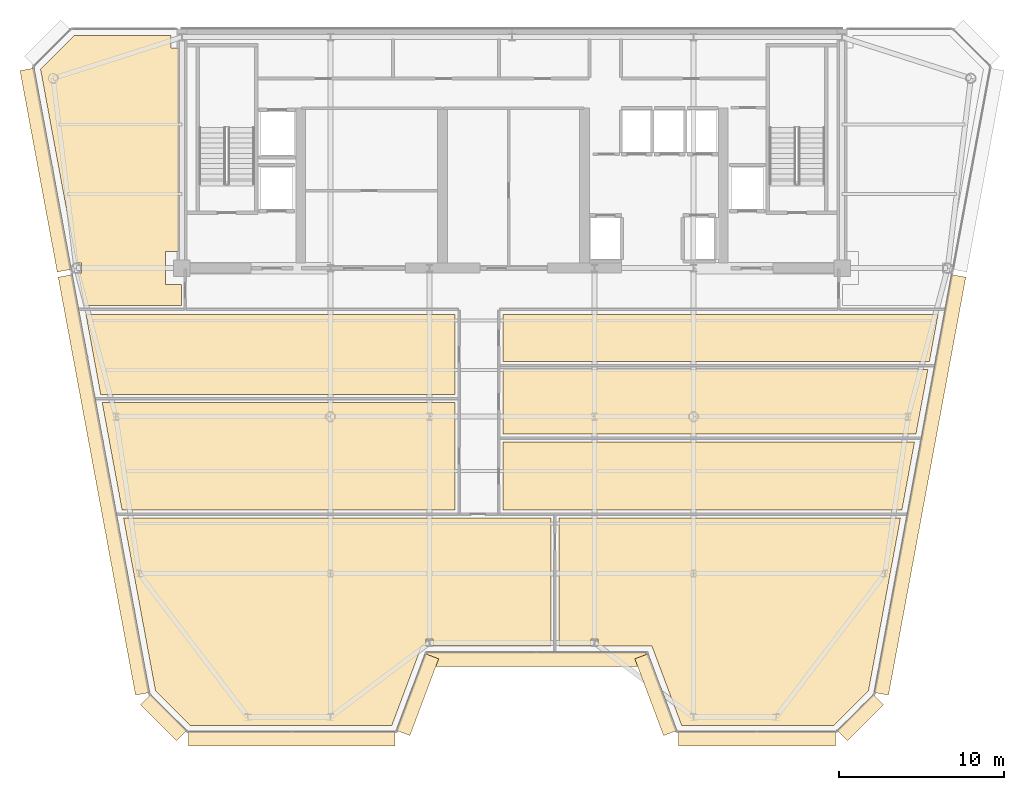
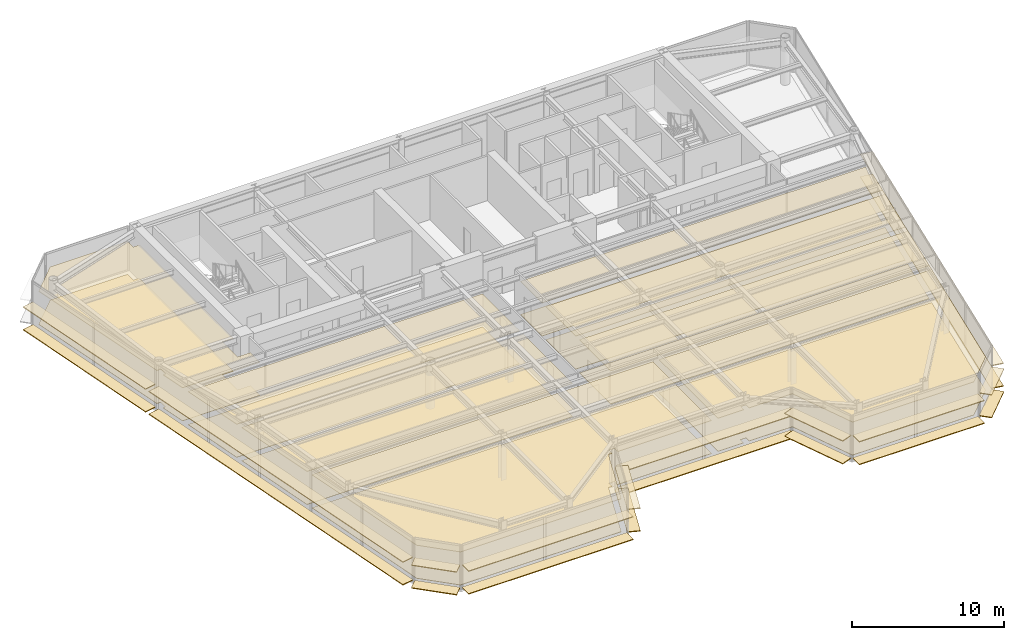
# One storey, part 13 of 16: 36 coverings.
"""IFC4 building model written with IfcOpenShell, lengths in metres."""

import ifcopenshell
import ifcopenshell.guid

model = None  # the IFC model being written
_history = None  # IfcOwnerHistory: only IFC2X3 demands one
_inside = {}  # id of a spatial element -> (the spatial element, [elements in it])
_under = {}  # id of a project, library or spatial element -> (it, [spatial elements below it])
_declared = {}  # id of a project -> (the project, [libraries it declares])
_typed = {}  # id of a type object -> (the type object, [elements of that type])
_made_of = {}  # id of a material, layer set ... -> (it, [elements and type objects made of it])


def new_model(schema):
    """Start an empty IFC model of exactly this schema.

    Asked for "IFC4X3", IfcOpenShell would pick the latest addendum, in which some entities
    have other attributes; the version numbers below select the first issue.
    IFC2X3 requires an IfcOwnerHistory on every rooted entity: one is made here for all.
    """
    global model, _history
    if schema == "IFC4X3":
        model = ifcopenshell.file(schema_version=(4, 3, 0, 0))
    else:
        model = ifcopenshell.file(schema=schema)
    _inside.clear()
    _under.clear()
    _declared.clear()
    _typed.clear()
    _made_of.clear()
    _history = None
    if model.schema == "IFC2X3":
        org = make("IfcOrganization", Name="unknown")
        user = make(
            "IfcPersonAndOrganization",
            ThePerson=make("IfcPerson", FamilyName="unknown"),
            TheOrganization=org,
        )
        app = make(
            "IfcApplication",
            ApplicationDeveloper=org,
            Version="unknown",
            ApplicationFullName="unknown",
            ApplicationIdentifier="unknown",
        )
        _history = make(
            "IfcOwnerHistory",
            OwningUser=user,
            OwningApplication=app,
            ChangeAction="ADDED",
            CreationDate=0,
        )
    return model


def make(cls, **values):
    """One entity of the class cls with the attributes given. An attribute that is None is left unset."""
    return model.create_entity(
        cls, **{name: value for name, value in values.items() if value is not None}
    )


def rooted(cls, **values):
    """An entity with a GlobalId (a new one), such as an element, a storey or a relation."""
    return make(cls, GlobalId=ifcopenshell.guid.new(), OwnerHistory=_history, **values)


def si_unit(unit_type, name, prefix=None):
    """IfcSIUnit, for example si_unit("LENGTHUNIT", "METRE", prefix="MILLI")."""
    return make("IfcSIUnit", UnitType=unit_type, Prefix=prefix, Name=name)


def assignment(units):
    """IfcUnitAssignment: the units of a project."""
    return None if units is None else make("IfcUnitAssignment", Units=units)


def point(xyz):
    """IfcCartesianPoint."""
    return None if xyz is None else make("IfcCartesianPoint", Coordinates=xyz)


def direction(xyz):
    """IfcDirection."""
    return None if xyz is None else make("IfcDirection", DirectionRatios=xyz)


def frame(location, z_axis=None, x_axis=None):
    """IfcAxis2Placement3D, a coordinate frame: its origin and axes. An axis left out is left unset."""
    return make(
        "IfcAxis2Placement3D",
        Location=point(location),
        Axis=direction(z_axis),
        RefDirection=direction(x_axis),
    )


def frame_2d(location, x_axis=None):
    """IfcAxis2Placement2D, a coordinate frame in the plane: its origin and x axis."""
    return make(
        "IfcAxis2Placement2D", Location=point(location), RefDirection=direction(x_axis)
    )


def origin():
    """The frame at (0, 0, 0) with its axes left unset."""
    return frame((0.0, 0.0, 0.0))


def origin_2d():
    """The frame at (0, 0) in the plane with its x axis left unset."""
    return frame_2d((0.0, 0.0))


def place(relative_to, where):
    """IfcLocalPlacement: puts the frame where relative to a parent placement (None: the world)."""
    return make(
        "IfcLocalPlacement", PlacementRelTo=relative_to, RelativePlacement=where
    )


def context(
    kind, dimensions, precision=None, world=None, true_north=None, identifier=None
):
    """IfcGeometricRepresentationContext, for example the 3D "Model" context."""
    return make(
        "IfcGeometricRepresentationContext",
        ContextIdentifier=identifier,
        ContextType=kind,
        CoordinateSpaceDimension=dimensions,
        Precision=precision,
        WorldCoordinateSystem=world,
        TrueNorth=true_north,
    )


def subcontext(parent, identifier, kind, view, scale=None):
    """IfcGeometricRepresentationSubContext, for example "Body" below "Model"."""
    return make(
        "IfcGeometricRepresentationSubContext",
        ContextIdentifier=identifier,
        ContextType=kind,
        ParentContext=parent,
        TargetScale=scale,
        TargetView=view,
    )


def project(units=None, contexts=None):
    """IfcProject with its units and contexts."""
    return rooted(
        "IfcProject",
        Name="project",
        RepresentationContexts=contexts,
        UnitsInContext=assignment(units),
    )


def spatial(cls, under=None, at=None, **own):
    """A site, building, storey or space (cls), placed at a placement, below another one or the project."""
    s = rooted(cls, ObjectPlacement=at, **own)
    if under is not None:
        _under.setdefault(under.id(), (under, []))[1].append(s)
    return s


def polyline(points):
    """IfcPolyline through the points."""
    return make("IfcPolyline", Points=[point(p) for p in points])


def profile(cls, at=None, kind="AREA", **sizes):
    """A parametric profile (cls). Its sizes go by their IFC names, for example OverallWidth=200.0."""
    return make(cls, ProfileType=kind, Position=at, **sizes)


def rectangle(**sizes):
    """IfcRectangleProfileDef."""
    return profile("IfcRectangleProfileDef", **sizes)


def outline(outer, holes=None, kind="AREA"):
    """IfcArbitraryClosedProfileDef: a profile drawn as a closed curve; with holes, ...WithVoids."""
    if holes is None:
        return make("IfcArbitraryClosedProfileDef", ProfileType=kind, OuterCurve=outer)
    return make(
        "IfcArbitraryProfileDefWithVoids",
        ProfileType=kind,
        OuterCurve=outer,
        InnerCurves=holes,
    )


def extrude(swept, where, along, depth):
    """IfcExtrudedAreaSolid: the profile swept, set in the frame where, extruded along a direction by depth."""
    return make(
        "IfcExtrudedAreaSolid",
        SweptArea=swept,
        Position=where,
        ExtrudedDirection=direction(along),
        Depth=depth,
    )


def shape(context_of_items, identifier, shape_type, items):
    """IfcShapeRepresentation: the items that make up one representation, for example the "Body"."""
    return make(
        "IfcShapeRepresentation",
        ContextOfItems=context_of_items,
        RepresentationIdentifier=identifier,
        RepresentationType=shape_type,
        Items=items,
    )


def source(mapping_origin, context_of_items, identifier, shape_type, items):
    """IfcRepresentationMap: a shape defined once, which mapped items show again and again."""
    return make(
        "IfcRepresentationMap",
        MappingOrigin=mapping_origin,
        MappedRepresentation=shape(context_of_items, identifier, shape_type, items),
    )


def transform(
    local_origin,
    x_axis=None,
    y_axis=None,
    z_axis=None,
    scale=None,
    scale2=None,
    scale3=None,
    uniform=True,
):
    """IfcCartesianTransformationOperator3D, or its non-uniform kind. x_axis, y_axis, z_axis: its Axis1, 2, 3."""
    if uniform:
        return make(
            "IfcCartesianTransformationOperator3D",
            Axis1=direction(x_axis),
            Axis2=direction(y_axis),
            LocalOrigin=point(local_origin),
            Scale=scale,
            Axis3=direction(z_axis),
        )
    return make(
        "IfcCartesianTransformationOperator3DnonUniform",
        Axis1=direction(x_axis),
        Axis2=direction(y_axis),
        LocalOrigin=point(local_origin),
        Scale=scale,
        Axis3=direction(z_axis),
        Scale2=scale2,
        Scale3=scale3,
    )


def mapped(mapping_source, mapping_target):
    """IfcMappedItem: shows the shape of a source again, moved by a transform."""
    return make(
        "IfcMappedItem", MappingSource=mapping_source, MappingTarget=mapping_target
    )


def material(Name=None, Category=None):
    """IfcMaterial."""
    return make("IfcMaterial", Name=Name, Category=Category)


def layer(
    of_material, thickness, ventilated=None, Name=None, Category=None, Priority=None
):
    """IfcMaterialLayer: one layer of a wall or slab, of a material (None: an air gap)."""
    return make(
        "IfcMaterialLayer",
        Material=of_material,
        LayerThickness=thickness,
        IsVentilated=ventilated,
        Name=Name,
        Category=Category,
        Priority=Priority,
    )


def layer_set(layers, Name=None):
    """IfcMaterialLayerSet."""
    return make("IfcMaterialLayerSet", MaterialLayers=layers, LayerSetName=Name)


def made_of(thing, what):
    """Note that an element or type object is made of a material, layer set ...; save() writes the relation."""
    if what is not None:
        _made_of.setdefault(what.id(), (what, []))[1].append(thing)
    return thing


def type_object(cls, material=None, **own):
    """A type object (cls), such as IfcWallType, which elements share."""
    return made_of(rooted(cls, **own), material)


def element(
    cls,
    number,
    at=None,
    inside=None,
    cuts=None,
    type_object=None,
    material=None,
    context=None,
    identifier="Body",
    shape_type=None,
    held_by="IfcProductDefinitionShape",
    body=None,
    shapes=None,
    **own,
):
    """One element of the class cls, such as IfcWall. Its Tag is "e" and its number.

    at: its placement. inside: the storey or other place that contains it. cuts: it is an
    opening in that element (IfcRelVoidsElement). A single representation is given by context,
    identifier, shape_type and body (its items); several are given by shapes. held_by: the class
    of the entity that holds the representations. save() writes the other relations.
    """
    e = rooted(cls, Tag="e%d" % number, ObjectPlacement=at, **own)
    if body is not None:
        shapes = [shape(context, identifier, shape_type, body)]
    if shapes is not None:
        e.Representation = make(held_by, Representations=shapes)
    if inside is not None:
        _inside.setdefault(inside.id(), (inside, []))[1].append(e)
    if cuts is not None:
        rooted(
            "IfcRelVoidsElement", RelatingBuildingElement=cuts, RelatedOpeningElement=e
        )
    if type_object is not None:
        _typed.setdefault(type_object.id(), (type_object, []))[1].append(e)
    return made_of(e, material)


def aggregate(whole, parts):
    """IfcRelAggregates: a whole, such as a stair, and the parts it consists of."""
    return rooted("IfcRelAggregates", RelatingObject=whole, RelatedObjects=parts)


def save(model, path):
    """Write the relations noted so far, then the file.

    IfcRelAggregates (storeys below a building ...), IfcRelContainedInSpatialStructure (elements
    in a storey), IfcRelDefinesByType, IfcRelAssociatesMaterial and IfcRelDeclares: one each for
    every whole, place, type object, material and project.
    """
    for whole, parts in _under.values():
        aggregate(whole, parts)
    for where, things in _inside.values():
        rooted(
            "IfcRelContainedInSpatialStructure",
            RelatedElements=things,
            RelatingStructure=where,
        )
    for kind, things in _typed.values():
        rooted("IfcRelDefinesByType", RelatedObjects=things, RelatingType=kind)
    for what, things in _made_of.values():
        rooted("IfcRelAssociatesMaterial", RelatedObjects=things, RelatingMaterial=what)
    for by, libraries in _declared.values():
        rooted("IfcRelDeclares", RelatingContext=by, RelatedDefinitions=libraries)
    model.write(path)


model = new_model("IFC4")

# Units and contexts
model_context = context("Model", 3, precision=1e-05, world=origin(), true_north=direction((0.0, 1.0)))
body_context = subcontext(model_context, "Body", "Model", "MODEL_VIEW")
ifc_project = project(units=[si_unit("LENGTHUNIT", "METRE"), si_unit("AREAUNIT", "SQUARE_METRE"), si_unit("VOLUMEUNIT", "CUBIC_METRE"), si_unit("PLANEANGLEUNIT", "RADIAN"), si_unit("MASSUNIT", "GRAM", prefix="KILO")], contexts=[model_context])

# Site, building, storey
site_placement = place(None, origin())
site = spatial("IfcSite", under=ifc_project, at=site_placement, CompositionType="ELEMENT")
building_placement = place(site_placement, origin())
building = spatial("IfcBuilding", under=site, at=building_placement, Name="Vaeldorn Concourse Tower", CompositionType="ELEMENT")
storey_placement = place(building_placement, frame((0.0, 0.0, 227.0)))
storey = spatial("IfcBuildingStorey", under=building, at=storey_placement, Name="L58", CompositionType="ELEMENT", Elevation=227.0)

# Coverings
ifc_material_1 = material(Name="Acoustic Mineral Fibre Board", Category="gypsum")
ifc_layer_1 = layer(ifc_material_1, 0.0400390625)
ifc_layer_set_1 = layer_set([ifc_layer_1], Name="Acoustic Mineral Fibre Board")
covering_type_1 = type_object("IfcCoveringType", Name="COV-CEIL-ACOUSTIC", PredefinedType="CEILING", material=ifc_layer_set_1)
covering_1_placement = place(storey_placement, frame((0.0, 0.0, 2.64990234375)))
element("IfcCovering", 1, at=covering_1_placement, inside=storey, type_object=covering_type_1, Name="Suspended Acoustic Ceiling L58-3", PredefinedType="CEILING", context=body_context, shape_type="SweptSolid", body=[
    extrude(outline(polyline([(7.4658203125, 50.60009765625), (13.340087890625, 50.60009765625), (13.340087890625, 49.840087890625), (13.820068359375, 49.840087890625), (13.820068359375, 37.5), (13.0, 37.5), (13.0, 35.5), (13.9599609375, 35.5), (13.9599609375, 34.239990234375), (8.08154296875, 34.239990234375), (7.719970703125, 36.195068359375), (7.905029296875, 36.195068359375), (7.905029296875, 36.804931640625), (7.607177734375, 36.804931640625), (5.431640625, 48.56591796875), (7.4658203125, 50.60009765625)])), origin(), (0.0, 0.0, 1.0), 0.0400390625),
])
covering_2_placement = place(storey_placement, frame((0.0, 0.0, 2.64990234375)))
element("IfcCovering", 2, at=covering_2_placement, inside=storey, type_object=covering_type_1, Name="Suspended Acoustic Ceiling L58-5", PredefinedType="CEILING", context=body_context, shape_type="SweptSolid", body=[
    extrude(outline(polyline([(30.56005859375, 28.360107421875), (30.56005859375, 21.840087890625), (10.375244140625, 21.840087890625), (9.169189453125, 28.360107421875), (30.56005859375, 28.360107421875)])), origin(), (0.0, 0.0, 1.0), 0.0400390625),
])
covering_3_placement = place(storey_placement, frame((0.0, 0.0, 2.64990234375)))
element("IfcCovering", 3, at=covering_3_placement, inside=storey, type_object=covering_type_1, Name="Suspended Acoustic Ceiling L58-6", PredefinedType="CEILING", context=body_context, shape_type="SweptSolid", body=[
    extrude(outline(polyline([(30.56005859375, 33.699951171875), (30.56005859375, 28.840087890625), (9.080322265625, 28.840087890625), (8.181396484375, 33.699951171875), (30.56005859375, 33.699951171875)])), origin(), (0.0, 0.0, 1.0), 0.0400390625),
])
covering_4_placement = place(storey_placement, frame((0.0, 0.0, 2.64990234375)))
element("IfcCovering", 4, at=covering_4_placement, inside=storey, type_object=covering_type_1, Name="Suspended Acoustic Ceiling L58-7", PredefinedType="CEILING", context=body_context, shape_type="SweptSolid", body=[
    extrude(outline(polyline([(33.43994140625, 21.840087890625), (33.43994140625, 25.9599609375), (58.386962890625, 25.9599609375), (57.624755859375, 21.840087890625), (33.43994140625, 21.840087890625)])), origin(), (0.0, 0.0, 1.0), 0.0400390625),
])
covering_5_placement = place(storey_placement, frame((0.0, 0.0, 2.64990234375)))
element("IfcCovering", 5, at=covering_5_placement, inside=storey, type_object=covering_type_1, Name="Suspended Acoustic Ceiling L58-8", PredefinedType="CEILING", context=body_context, shape_type="SweptSolid", body=[
    extrude(outline(polyline([(33.43994140625, 26.43994140625), (33.43994140625, 30.360107421875), (59.20068359375, 30.360107421875), (58.4755859375, 26.43994140625), (33.43994140625, 26.43994140625)])), origin(), (0.0, 0.0, 1.0), 0.0400390625),
])
covering_6_placement = place(storey_placement, frame((0.0, 0.0, 2.64990234375)))
element("IfcCovering", 6, at=covering_6_placement, inside=storey, type_object=covering_type_1, Name="Suspended Acoustic Ceiling L58-9", PredefinedType="CEILING", context=body_context, shape_type="SweptSolid", body=[
    extrude(outline(polyline([(33.43994140625, 30.840087890625), (33.43994140625, 33.699951171875), (59.818603515625, 33.699951171875), (59.28955078125, 30.840087890625), (33.43994140625, 30.840087890625)])), origin(), (0.0, 0.0, 1.0), 0.0400390625),
])
covering_7_placement = place(storey_placement, frame((0.0, 0.0, 2.64990234375)))
element("IfcCovering", 7, at=covering_7_placement, inside=storey, type_object=covering_type_1, Name="Suspended Acoustic Ceiling L58-10", PredefinedType="CEILING", context=body_context, shape_type="SweptSolid", body=[
    extrude(outline(polyline([(36.360107421875, 21.360107421875), (36.360107421875, 13.60009765625), (29.2060546875, 13.60009765625), (29.2060546875, 14.017578125), (28.7939453125, 14.017578125), (28.7939453125, 13.60009765625), (28.522705078125, 13.60009765625), (26.722900390625, 8.800048828125), (14.49462890625, 8.800048828125), (12.399658203125, 10.89501953125), (11.20751953125, 17.340087890625), (11.20751953125, 17.340087890625), (10.4638671875, 21.360107421875), (36.360107421875, 21.360107421875)])), origin(), (0.0, 0.0, 1.0), 0.0400390625),
])
covering_8_placement = place(storey_placement, frame((0.0, 0.0, 2.64990234375)))
element("IfcCovering", 8, at=covering_8_placement, inside=storey, type_object=covering_type_1, Name="Suspended Acoustic Ceiling L58-11", PredefinedType="CEILING", context=body_context, shape_type="SweptSolid", body=[
    extrude(outline(polyline([(36.840087890625, 21.360107421875), (57.5361328125, 21.360107421875), (56.973876953125, 18.321044921875), (55.600341796875, 10.89501953125), (53.50537109375, 8.800048828125), (44.277099609375, 8.800048828125), (42.477294921875, 13.60009765625), (39.2060546875, 13.60009765625), (39.2060546875, 14.017578125), (38.7939453125, 14.017578125), (38.7939453125, 13.60009765625), (36.840087890625, 13.60009765625), (36.840087890625, 21.360107421875)])), origin(), (0.0, 0.0, 1.0), 0.0400390625),
])
ifc_material_2 = material(Name="Honed Limestone Terrazzo Flooring", Category="masonry")
ifc_layer_2 = layer(ifc_material_2, 0.0400390625)
ifc_layer_set_2 = layer_set([ifc_layer_2], Name="Honed Limestone Terrazzo Flooring")
covering_type_2 = type_object("IfcCoveringType", Name="COV-FLOOR-STONE", PredefinedType="FLOORING", material=ifc_layer_set_2)
covering_9_placement = place(storey_placement, origin())
element("IfcCovering", 9, at=covering_9_placement, inside=storey, type_object=covering_type_2, Name="Floor Finish Covering L58-3", PredefinedType="FLOORING", context=body_context, shape_type="SweptSolid", body=[
    extrude(outline(polyline([(7.4658203125, 50.60009765625), (13.340087890625, 50.60009765625), (13.340087890625, 49.840087890625), (13.820068359375, 49.840087890625), (13.820068359375, 37.5), (13.0, 37.5), (13.0, 35.5), (13.9599609375, 35.5), (13.9599609375, 34.239990234375), (8.08154296875, 34.239990234375), (7.719970703125, 36.195068359375), (7.905029296875, 36.195068359375), (7.905029296875, 36.804931640625), (7.607177734375, 36.804931640625), (5.431640625, 48.56591796875), (7.4658203125, 50.60009765625)])), origin(), (0.0, 0.0, 1.0), 0.030029296875),
])
covering_10_placement = place(storey_placement, origin())
element("IfcCovering", 10, at=covering_10_placement, inside=storey, type_object=covering_type_2, Name="Floor Finish Covering L58-5", PredefinedType="FLOORING", context=body_context, shape_type="SweptSolid", body=[
    extrude(outline(polyline([(30.56005859375, 28.360107421875), (30.56005859375, 21.840087890625), (10.375244140625, 21.840087890625), (9.169189453125, 28.360107421875), (30.56005859375, 28.360107421875)])), origin(), (0.0, 0.0, 1.0), 0.030029296875),
])
covering_11_placement = place(storey_placement, origin())
element("IfcCovering", 11, at=covering_11_placement, inside=storey, type_object=covering_type_2, Name="Floor Finish Covering L58-6", PredefinedType="FLOORING", context=body_context, shape_type="SweptSolid", body=[
    extrude(outline(polyline([(30.56005859375, 33.699951171875), (30.56005859375, 28.840087890625), (9.080322265625, 28.840087890625), (8.181396484375, 33.699951171875), (30.56005859375, 33.699951171875)])), origin(), (0.0, 0.0, 1.0), 0.030029296875),
])
covering_12_placement = place(storey_placement, origin())
element("IfcCovering", 12, at=covering_12_placement, inside=storey, type_object=covering_type_2, Name="Floor Finish Covering L58-7", PredefinedType="FLOORING", context=body_context, shape_type="SweptSolid", body=[
    extrude(outline(polyline([(33.43994140625, 21.840087890625), (33.43994140625, 25.9599609375), (58.386962890625, 25.9599609375), (57.624755859375, 21.840087890625), (33.43994140625, 21.840087890625)])), origin(), (0.0, 0.0, 1.0), 0.030029296875),
])
covering_13_placement = place(storey_placement, origin())
element("IfcCovering", 13, at=covering_13_placement, inside=storey, type_object=covering_type_2, Name="Floor Finish Covering L58-8", PredefinedType="FLOORING", context=body_context, shape_type="SweptSolid", body=[
    extrude(outline(polyline([(33.43994140625, 26.43994140625), (33.43994140625, 30.360107421875), (59.20068359375, 30.360107421875), (58.4755859375, 26.43994140625), (33.43994140625, 26.43994140625)])), origin(), (0.0, 0.0, 1.0), 0.030029296875),
])
covering_14_placement = place(storey_placement, origin())
element("IfcCovering", 14, at=covering_14_placement, inside=storey, type_object=covering_type_2, Name="Floor Finish Covering L58-9", PredefinedType="FLOORING", context=body_context, shape_type="SweptSolid", body=[
    extrude(outline(polyline([(33.43994140625, 30.840087890625), (33.43994140625, 33.699951171875), (59.818603515625, 33.699951171875), (59.28955078125, 30.840087890625), (33.43994140625, 30.840087890625)])), origin(), (0.0, 0.0, 1.0), 0.030029296875),
])
covering_15_placement = place(storey_placement, origin())
element("IfcCovering", 15, at=covering_15_placement, inside=storey, type_object=covering_type_2, Name="Floor Finish Covering L58-10", PredefinedType="FLOORING", context=body_context, shape_type="SweptSolid", body=[
    extrude(outline(polyline([(36.360107421875, 21.360107421875), (36.360107421875, 13.60009765625), (29.2060546875, 13.60009765625), (29.2060546875, 14.017578125), (28.7939453125, 14.017578125), (28.7939453125, 13.60009765625), (28.522705078125, 13.60009765625), (26.722900390625, 8.800048828125), (14.49462890625, 8.800048828125), (12.399658203125, 10.89501953125), (11.20751953125, 17.340087890625), (11.20751953125, 17.340087890625), (10.4638671875, 21.360107421875), (36.360107421875, 21.360107421875)])), origin(), (0.0, 0.0, 1.0), 0.030029296875),
])
covering_16_placement = place(storey_placement, origin())
element("IfcCovering", 16, at=covering_16_placement, inside=storey, type_object=covering_type_2, Name="Floor Finish Covering L58-11", PredefinedType="FLOORING", context=body_context, shape_type="SweptSolid", body=[
    extrude(outline(polyline([(36.840087890625, 21.360107421875), (57.5361328125, 21.360107421875), (56.973876953125, 18.321044921875), (55.600341796875, 10.89501953125), (53.50537109375, 8.800048828125), (44.277099609375, 8.800048828125), (42.477294921875, 13.60009765625), (39.2060546875, 13.60009765625), (39.2060546875, 14.017578125), (38.7939453125, 14.017578125), (38.7939453125, 13.60009765625), (36.840087890625, 13.60009765625), (36.840087890625, 21.360107421875)])), origin(), (0.0, 0.0, 1.0), 0.030029296875),
])
ifc_material_3 = material(Name="Anodised Bronze Aluminium", Category="aluminium")
ifc_layer_3 = layer(ifc_material_3, 0.06494140625)
ifc_layer_set_3 = layer_set([ifc_layer_3], Name="Anodised Bronze Aluminium")
covering_type_3 = type_object("IfcCoveringType", Name="SD-BRONZE-SUNSHADE", PredefinedType="USERDEFINED", material=ifc_layer_set_3)
shared_shape_1 = source(origin(), body_context, "Body", "SweptSolid", [
    extrude(rectangle(XDim=4.96630859375, YDim=0.8798828125, at=origin_2d()), origin(), (0.0, 0.0, 1.0), 0.06494140625),
])
for number, where, z_axis, x_axis, name in (
    (17, (28.2744140625, 10.65966796875, 0.047607421875), (0.0, 0.0, 1.0), (0.351122702609, 0.936329454686, 0.0), "Horizontal Bronze Sunshade L58-E02.1.1"),
    (18, (28.2744140625, 10.65966796875, 1.867431640625), (0.0, 0.0, 1.0), (0.351122702609, 0.936329454686, 0.0), "Horizontal Bronze Sunshade L58-E02.1.2"),
    (19, (42.7255859375, 10.65966796875, 0.047607421875), (0.0, 0.0, 1.0), (0.351122702609, -0.936329454686, 0.0), "Horizontal Bronze Sunshade L58-E04.1.1"),
    (20, (42.7255859375, 10.65966796875, 1.867431640625), (0.0, 0.0, 1.0), (0.351122702609, -0.936329454686, 0.0), "Horizontal Bronze Sunshade L58-E04.1.2"),
):
    element("IfcCovering", number, at=place(storey_placement, frame(where, z_axis=z_axis, x_axis=x_axis)), inside=storey, type_object=covering_type_3, Name=name, ObjectType="SUNSHADE", PredefinedType="USERDEFINED", context=body_context, shape_type="MappedRepresentation", body=[
        mapped(shared_shape_1, transform((0.0, 0.0, 0.0), scale=1.0)),
    ])
shared_shape_2 = source(origin(), body_context, "Body", "SweptSolid", [
    extrude(rectangle(XDim=13.239990234375, YDim=0.8798828125, at=origin_2d()), origin(), (0.0, 0.0, 1.0), 0.06494140625),
])
for number, where, z_axis, x_axis, name in (
    (21, (35.5, 12.800048828125, 0.047607421875), (0.0, 0.0, 1.0), (1.0, 0.0, 0.0), "Horizontal Bronze Sunshade L58-E03.1.1"),
    (22, (35.5, 12.800048828125, 1.867431640625), (0.0, 0.0, 1.0), (1.0, 0.0, 0.0), "Horizontal Bronze Sunshade L58-E03.1.2"),
):
    element("IfcCovering", number, at=place(storey_placement, frame(where, z_axis=z_axis, x_axis=x_axis)), inside=storey, type_object=covering_type_3, Name=name, ObjectType="SUNSHADE", PredefinedType="USERDEFINED", context=body_context, shape_type="MappedRepresentation", body=[
        mapped(shared_shape_2, transform((0.0, 0.0, 0.0), scale=1.0)),
    ])
shared_shape_3 = source(origin(), body_context, "Body", "SweptSolid", [
    extrude(rectangle(XDim=3.0927734375, YDim=0.8798828125, at=origin_2d()), origin(), (0.0, 0.0, 1.0), 0.06494140625),
])
for number, where, z_axis, x_axis, name in (
    (23, (55.103759765625, 9.26708984375, 0.047607421875), (0.0, 0.0, 1.0), (0.707106781187, 0.707106781187, 0.0), "Horizontal Bronze Sunshade L58-E06.1.1"),
    (24, (55.103759765625, 9.26708984375, 1.867431640625), (0.0, 0.0, 1.0), (0.707106781187, 0.707106781187, 0.0), "Horizontal Bronze Sunshade L58-E06.1.2"),
    (25, (12.896240234375, 9.26708984375, 0.047607421875), (0.0, 0.0, 1.0), (0.707106781187, -0.707106781187, 0.0), "Horizontal Bronze Sunshade L58-E12.1.1"),
    (26, (12.896240234375, 9.26708984375, 1.867431640625), (0.0, 0.0, 1.0), (0.707106781187, -0.707106781187, 0.0), "Horizontal Bronze Sunshade L58-E12.1.2"),
):
    element("IfcCovering", number, at=place(storey_placement, frame(where, z_axis=z_axis, x_axis=x_axis)), inside=storey, type_object=covering_type_3, Name=name, ObjectType="SUNSHADE", PredefinedType="USERDEFINED", context=body_context, shape_type="MappedRepresentation", body=[
        mapped(shared_shape_3, transform((0.0, 0.0, 0.0), scale=1.0)),
    ])
shared_shape_4 = source(origin(), body_context, "Body", "SweptSolid", [
    extrude(rectangle(XDim=12.510986328125, YDim=0.8798828125, at=origin_2d()), origin(), (0.0, 0.0, 1.0), 0.06494140625),
])
for number, where, z_axis, x_axis, name in (
    (27, (20.66455078125, 8.0, 0.047607421875), (0.0, 0.0, 1.0), (1.0, 0.0, 0.0), "Horizontal Bronze Sunshade L58-E01.1.1"),
    (28, (20.66455078125, 8.0, 1.867431640625), (0.0, 0.0, 1.0), (1.0, 0.0, 0.0), "Horizontal Bronze Sunshade L58-E01.1.2"),
):
    element("IfcCovering", number, at=place(storey_placement, frame(where, z_axis=z_axis, x_axis=x_axis)), inside=storey, type_object=covering_type_3, Name=name, ObjectType="SUNSHADE", PredefinedType="USERDEFINED", context=body_context, shape_type="MappedRepresentation", body=[
        mapped(shared_shape_4, transform((0.0, 0.0, 0.0), scale=1.0)),
    ])
shared_shape_5 = source(origin(), body_context, "Body", "SweptSolid", [
    extrude(rectangle(XDim=9.510986328125, YDim=0.8798828125, at=origin_2d()), origin(), (0.0, 0.0, 1.0), 0.06494140625),
])
for number, where, z_axis, x_axis, name in (
    (29, (48.83544921875, 8.0, 0.047607421875), (0.0, 0.0, 1.0), (1.0, 0.0, 0.0), "Horizontal Bronze Sunshade L58-E05.1.1"),
    (30, (48.83544921875, 8.0, 1.867431640625), (0.0, 0.0, 1.0), (1.0, 0.0, 0.0), "Horizontal Bronze Sunshade L58-E05.1.2"),
):
    element("IfcCovering", number, at=place(storey_placement, frame(where, z_axis=z_axis, x_axis=x_axis)), inside=storey, type_object=covering_type_3, Name=name, ObjectType="SUNSHADE", PredefinedType="USERDEFINED", context=body_context, shape_type="MappedRepresentation", body=[
        mapped(shared_shape_5, transform((0.0, 0.0, 0.0), scale=1.0)),
    ])
shared_shape_6 = source(origin(), body_context, "Body", "SweptSolid", [
    extrude(rectangle(XDim=25.75732421875, YDim=0.8798828125, at=origin_2d()), origin(), (0.0, 0.0, 1.0), 0.06494140625),
])
for number, where, z_axis, x_axis, name in (
    (31, (58.721435546875, 23.36962890625, 0.047607421875), (0.0, 0.0, 1.0), (0.181892293686, 0.983318459858, 0.0), "Horizontal Bronze Sunshade L58-E07.1.1"),
    (32, (58.721435546875, 23.36962890625, 1.867431640625), (0.0, 0.0, 1.0), (0.181892293686, 0.983318459858, 0.0), "Horizontal Bronze Sunshade L58-E07.1.2"),
    (33, (9.278564453125, 23.36962890625, 0.047607421875), (0.0, 0.0, 1.0), (0.181892293686, -0.983318459858, 0.0), "Horizontal Bronze Sunshade L58-E11.2.1"),
    (34, (9.278564453125, 23.36962890625, 1.867431640625), (0.0, 0.0, 1.0), (0.181892293686, -0.983318459858, 0.0), "Horizontal Bronze Sunshade L58-E11.2.2"),
):
    element("IfcCovering", number, at=place(storey_placement, frame(where, z_axis=z_axis, x_axis=x_axis)), inside=storey, type_object=covering_type_3, Name=name, ObjectType="SUNSHADE", PredefinedType="USERDEFINED", context=body_context, shape_type="MappedRepresentation", body=[
        mapped(shared_shape_6, transform((0.0, 0.0, 0.0), scale=1.0)),
    ])
shared_shape_7 = source(origin(), body_context, "Body", "SweptSolid", [
    extrude(rectangle(XDim=12.402587890625, YDim=0.8798828125, at=origin_2d()), origin(), (0.0, 0.0, 1.0), 0.06494140625),
])
for number, where, z_axis, x_axis, name in (
    (35, (5.749267578125, 42.45068359375, 0.047607421875), (0.0, 0.0, 1.0), (0.181892293686, -0.983318459858, 0.0), "Horizontal Bronze Sunshade L58-E11.1.1"),
    (36, (5.749267578125, 42.45068359375, 1.867431640625), (0.0, 0.0, 1.0), (0.181892293686, -0.983318459858, 0.0), "Horizontal Bronze Sunshade L58-E11.1.2"),
):
    element("IfcCovering", number, at=place(storey_placement, frame(where, z_axis=z_axis, x_axis=x_axis)), inside=storey, type_object=covering_type_3, Name=name, ObjectType="SUNSHADE", PredefinedType="USERDEFINED", context=body_context, shape_type="MappedRepresentation", body=[
        mapped(shared_shape_7, transform((0.0, 0.0, 0.0), scale=1.0)),
    ])

save(model, "model.ifc")
